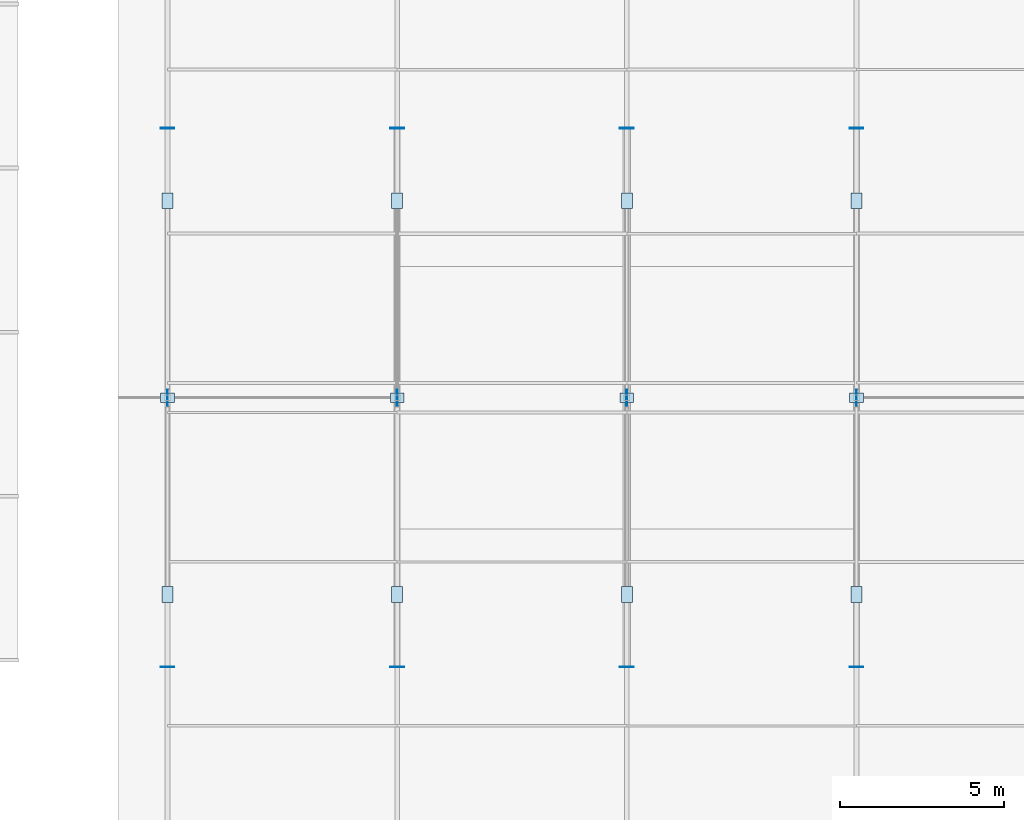
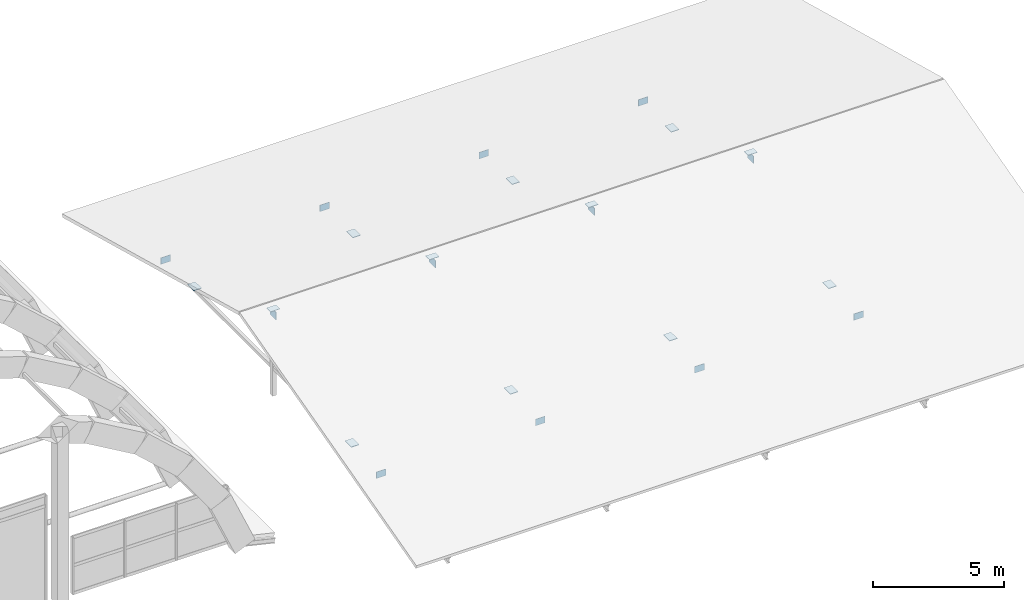
# One storey, part 31 of 76: 24 plates.
"""IFC4 building model written with IfcOpenShell, lengths in metres."""

from ifc_helpers import new_model, si_unit, direction, frame, origin, origin_2d, place, context, subcontext, project, spatial, rectangle, extrude, material, layer, layer_set, type_object, element, save


model = new_model("IFC4")

# Units and contexts
model_context = context("Model", 3, precision=1e-05, world=origin(), true_north=direction((0.0, 1.0)))
body_context = subcontext(model_context, "Body", "Model", "MODEL_VIEW")
ifc_project = project(units=[si_unit("LENGTHUNIT", "METRE"), si_unit("AREAUNIT", "SQUARE_METRE"), si_unit("VOLUMEUNIT", "CUBIC_METRE"), si_unit("PLANEANGLEUNIT", "RADIAN"), si_unit("MASSUNIT", "GRAM", prefix="KILO")], contexts=[model_context])

# Site, building, storey
site_placement = place(None, origin())
site = spatial("IfcSite", under=ifc_project, at=site_placement, CompositionType="ELEMENT")
building_placement = place(site_placement, origin())
building = spatial("IfcBuilding", under=site, at=building_placement, Name="Kiranvali Square Residences", CompositionType="ELEMENT")
storey_placement = place(building_placement, frame((0.0, 0.0, 8.699951171875)))
storey = spatial("IfcBuildingStorey", under=building, at=storey_placement, Name="L02", CompositionType="ELEMENT", Elevation=8.699951171875)

# Plates
ifc_material = material(Name="Structural steel E350", Category="steel")
ifc_layer_1 = layer(ifc_material, 0.02001953125)
ifc_layer_set_1 = layer_set([ifc_layer_1], Name="Structural steel E350")
plate_type_1 = type_object("IfcPlateType", Name="PLT-ENDCAP-20", PredefinedType="SHEET", material=ifc_layer_set_1)
plate_1_placement = place(storey_placement, frame((102.0, 52.0, 3.789306640625), z_axis=(0.0, 0.0, 1.0), x_axis=(1.0, 0.0, 0.0)))
element("IfcPlate", 1, at=plate_1_placement, inside=storey, type_object=plate_type_1, Name="Southeast Square Retail Pavilion ridge king-post cap plate 1", PredefinedType="SHEET", context=body_context, shape_type="SweptSolid", body=[
    extrude(rectangle(XDim=0.419921875, YDim=0.300048828125, at=origin_2d()), origin(), (0.0, 0.0, 1.0), 0.02001953125),
])
for number, where, z_axis, x_axis, name in (
    (2, (102.0, 43.7880859375, 0.9501953125), (0.0, 0.0, 1.0), (1.0, 0.0, 0.0), "Southeast Square Retail Pavilion chord end-cap plate 1-S"),
    (3, (102.0, 60.2119140625, 0.9501953125), (0.0, 0.0, 1.0), (1.0, 0.0, 0.0), "Southeast Square Retail Pavilion chord end-cap plate 1-N"),
):
    element("IfcPlate", number, at=place(storey_placement, frame(where, z_axis=z_axis, x_axis=x_axis)), inside=storey, type_object=plate_type_1, Name=name, PredefinedType="SHEET", context=body_context, shape_type="SweptSolid", body=[
        extrude(rectangle(XDim=0.419921875, YDim=0.02001953125, at=origin_2d()), origin(), (0.0, 0.0, 1.0), 0.300048828125),
    ])
plate_2_placement = place(storey_placement, frame((109.0, 52.0, 3.764404296875), z_axis=(0.0, 0.0, 1.0), x_axis=(1.0, 0.0, 0.0)))
element("IfcPlate", 4, at=plate_2_placement, inside=storey, type_object=plate_type_1, Name="Southeast Square Retail Pavilion ridge king-post cap plate 2", PredefinedType="SHEET", context=body_context, shape_type="SweptSolid", body=[
    extrude(rectangle(XDim=0.419921875, YDim=0.300048828125, at=origin_2d()), origin(), (0.0, 0.0, 1.0), 0.02001953125),
])
for number, where, z_axis, x_axis, name in (
    (5, (109.0, 43.7880859375, 0.9501953125), (0.0, 0.0, 1.0), (1.0, 0.0, 0.0), "Southeast Square Retail Pavilion chord end-cap plate 2-S"),
    (6, (109.0, 60.2119140625, 0.9501953125), (0.0, 0.0, 1.0), (1.0, 0.0, 0.0), "Southeast Square Retail Pavilion chord end-cap plate 2-N"),
):
    element("IfcPlate", number, at=place(storey_placement, frame(where, z_axis=z_axis, x_axis=x_axis)), inside=storey, type_object=plate_type_1, Name=name, PredefinedType="SHEET", context=body_context, shape_type="SweptSolid", body=[
        extrude(rectangle(XDim=0.419921875, YDim=0.02001953125, at=origin_2d()), origin(), (0.0, 0.0, 1.0), 0.300048828125),
    ])
plate_3_placement = place(storey_placement, frame((116.0, 52.0, 3.7392578125), z_axis=(0.0, 0.0, 1.0), x_axis=(1.0, 0.0, 0.0)))
element("IfcPlate", 7, at=plate_3_placement, inside=storey, type_object=plate_type_1, Name="Southeast Square Retail Pavilion ridge king-post cap plate 3", PredefinedType="SHEET", context=body_context, shape_type="SweptSolid", body=[
    extrude(rectangle(XDim=0.419921875, YDim=0.300048828125, at=origin_2d()), origin(), (0.0, 0.0, 1.0), 0.02001953125),
])
for number, where, z_axis, x_axis, name in (
    (8, (116.0, 43.7880859375, 0.9501953125), (0.0, 0.0, 1.0), (1.0, 0.0, 0.0), "Southeast Square Retail Pavilion chord end-cap plate 3-S"),
    (9, (116.0, 60.2119140625, 0.9501953125), (0.0, 0.0, 1.0), (1.0, 0.0, 0.0), "Southeast Square Retail Pavilion chord end-cap plate 3-N"),
):
    element("IfcPlate", number, at=place(storey_placement, frame(where, z_axis=z_axis, x_axis=x_axis)), inside=storey, type_object=plate_type_1, Name=name, PredefinedType="SHEET", context=body_context, shape_type="SweptSolid", body=[
        extrude(rectangle(XDim=0.419921875, YDim=0.02001953125, at=origin_2d()), origin(), (0.0, 0.0, 1.0), 0.300048828125),
    ])
plate_4_placement = place(storey_placement, frame((123.0, 52.0, 3.71435546875), z_axis=(0.0, 0.0, 1.0), x_axis=(1.0, 0.0, 0.0)))
element("IfcPlate", 10, at=plate_4_placement, inside=storey, type_object=plate_type_1, Name="Southeast Square Retail Pavilion ridge king-post cap plate 4", PredefinedType="SHEET", context=body_context, shape_type="SweptSolid", body=[
    extrude(rectangle(XDim=0.419921875, YDim=0.300048828125, at=origin_2d()), origin(), (0.0, 0.0, 1.0), 0.02001953125),
])
for number, where, z_axis, x_axis, name in (
    (11, (123.0, 43.7880859375, 0.9501953125), (0.0, 0.0, 1.0), (1.0, 0.0, 0.0), "Southeast Square Retail Pavilion chord end-cap plate 4-S"),
    (12, (123.0, 60.2119140625, 0.9501953125), (0.0, 0.0, 1.0), (1.0, 0.0, 0.0), "Southeast Square Retail Pavilion chord end-cap plate 4-N"),
):
    element("IfcPlate", number, at=place(storey_placement, frame(where, z_axis=z_axis, x_axis=x_axis)), inside=storey, type_object=plate_type_1, Name=name, PredefinedType="SHEET", context=body_context, shape_type="SweptSolid", body=[
        extrude(rectangle(XDim=0.419921875, YDim=0.02001953125, at=origin_2d()), origin(), (0.0, 0.0, 1.0), 0.300048828125),
    ])
ifc_layer_2 = layer(ifc_material, 0.02490234375)
ifc_layer_set_2 = layer_set([ifc_layer_2], Name="Structural steel E350")
plate_type_2 = type_object("IfcPlateType", Name="PLT-GUSSET-25", PredefinedType="USERDEFINED", material=ifc_layer_set_2)
plate_5_placement = place(storey_placement, frame((102.0, 52.0, 3.4072265625), z_axis=(0.0, 0.0, 1.0), x_axis=(1.0, 0.0, 0.0)))
element("IfcPlate", 13, at=plate_5_placement, inside=storey, type_object=plate_type_2, Name="Southeast Square Retail Pavilion ridge truss gusset plate 1", ObjectType="GUSSET PLATE", PredefinedType="USERDEFINED", context=body_context, shape_type="SweptSolid", body=[
    extrude(rectangle(XDim=0.02490234375, YDim=0.47998046875, at=origin_2d()), origin(), (0.0, 0.0, 1.0), 0.340087890625),
])
for number, where, z_axis, x_axis, name in (
    (14, (102.0, 46.0, 1.176513671875), (0.0, 0.0, 1.0), (1.0, 0.0, 0.0), "Southeast Square Retail Pavilion bottom chord brace gusset plate 1-S"),
    (15, (102.0, 58.0, 1.176513671875), (0.0, 0.0, 1.0), (1.0, 0.0, 0.0), "Southeast Square Retail Pavilion bottom chord brace gusset plate 1-N"),
):
    element("IfcPlate", number, at=place(storey_placement, frame(where, z_axis=z_axis, x_axis=x_axis)), inside=storey, type_object=plate_type_2, Name=name, ObjectType="GUSSET PLATE", PredefinedType="USERDEFINED", context=body_context, shape_type="SweptSolid", body=[
        extrude(rectangle(XDim=0.340087890625, YDim=0.47998046875, at=origin_2d()), origin(), (0.0, 0.0, 1.0), 0.02490234375),
    ])
plate_6_placement = place(storey_placement, frame((109.0, 52.0, 3.38232421875), z_axis=(0.0, 0.0, 1.0), x_axis=(1.0, 0.0, 0.0)))
element("IfcPlate", 16, at=plate_6_placement, inside=storey, type_object=plate_type_2, Name="Southeast Square Retail Pavilion ridge truss gusset plate 2", ObjectType="GUSSET PLATE", PredefinedType="USERDEFINED", context=body_context, shape_type="SweptSolid", body=[
    extrude(rectangle(XDim=0.02490234375, YDim=0.47998046875, at=origin_2d()), origin(), (0.0, 0.0, 1.0), 0.340087890625),
])
for number, where, z_axis, x_axis, name in (
    (17, (109.0, 46.0, 1.191650390625), (0.0, 0.0, 1.0), (1.0, 0.0, 0.0), "Southeast Square Retail Pavilion bottom chord brace gusset plate 2-S"),
    (18, (109.0, 58.0, 1.191650390625), (0.0, 0.0, 1.0), (1.0, 0.0, 0.0), "Southeast Square Retail Pavilion bottom chord brace gusset plate 2-N"),
):
    element("IfcPlate", number, at=place(storey_placement, frame(where, z_axis=z_axis, x_axis=x_axis)), inside=storey, type_object=plate_type_2, Name=name, ObjectType="GUSSET PLATE", PredefinedType="USERDEFINED", context=body_context, shape_type="SweptSolid", body=[
        extrude(rectangle(XDim=0.340087890625, YDim=0.47998046875, at=origin_2d()), origin(), (0.0, 0.0, 1.0), 0.02490234375),
    ])
plate_7_placement = place(storey_placement, frame((116.0, 52.0, 3.357421875), z_axis=(0.0, 0.0, 1.0), x_axis=(1.0, 0.0, 0.0)))
element("IfcPlate", 19, at=plate_7_placement, inside=storey, type_object=plate_type_2, Name="Southeast Square Retail Pavilion ridge truss gusset plate 3", ObjectType="GUSSET PLATE", PredefinedType="USERDEFINED", context=body_context, shape_type="SweptSolid", body=[
    extrude(rectangle(XDim=0.02490234375, YDim=0.47998046875, at=origin_2d()), origin(), (0.0, 0.0, 1.0), 0.340087890625),
])
for number, where, z_axis, x_axis, name in (
    (20, (116.0, 46.0, 1.211669921875), (0.0, 0.0, 1.0), (1.0, 0.0, 0.0), "Southeast Square Retail Pavilion bottom chord brace gusset plate 3-S"),
    (21, (116.0, 58.0, 1.211669921875), (0.0, 0.0, 1.0), (1.0, 0.0, 0.0), "Southeast Square Retail Pavilion bottom chord brace gusset plate 3-N"),
):
    element("IfcPlate", number, at=place(storey_placement, frame(where, z_axis=z_axis, x_axis=x_axis)), inside=storey, type_object=plate_type_2, Name=name, ObjectType="GUSSET PLATE", PredefinedType="USERDEFINED", context=body_context, shape_type="SweptSolid", body=[
        extrude(rectangle(XDim=0.340087890625, YDim=0.47998046875, at=origin_2d()), origin(), (0.0, 0.0, 1.0), 0.02490234375),
    ])
plate_8_placement = place(storey_placement, frame((123.0, 52.0, 3.33251953125), z_axis=(0.0, 0.0, 1.0), x_axis=(1.0, 0.0, 0.0)))
element("IfcPlate", 22, at=plate_8_placement, inside=storey, type_object=plate_type_2, Name="Southeast Square Retail Pavilion ridge truss gusset plate 4", ObjectType="GUSSET PLATE", PredefinedType="USERDEFINED", context=body_context, shape_type="SweptSolid", body=[
    extrude(rectangle(XDim=0.02490234375, YDim=0.47998046875, at=origin_2d()), origin(), (0.0, 0.0, 1.0), 0.340087890625),
])
for number, where, z_axis, x_axis, name in (
    (23, (123.0, 46.0, 1.198486328125), (0.0, 0.0, 1.0), (1.0, 0.0, 0.0), "Southeast Square Retail Pavilion bottom chord brace gusset plate 4-S"),
    (24, (123.0, 58.0, 1.198486328125), (0.0, 0.0, 1.0), (1.0, 0.0, 0.0), "Southeast Square Retail Pavilion bottom chord brace gusset plate 4-N"),
):
    element("IfcPlate", number, at=place(storey_placement, frame(where, z_axis=z_axis, x_axis=x_axis)), inside=storey, type_object=plate_type_2, Name=name, ObjectType="GUSSET PLATE", PredefinedType="USERDEFINED", context=body_context, shape_type="SweptSolid", body=[
        extrude(rectangle(XDim=0.340087890625, YDim=0.47998046875, at=origin_2d()), origin(), (0.0, 0.0, 1.0), 0.02490234375),
    ])

save(model, "model.ifc")
